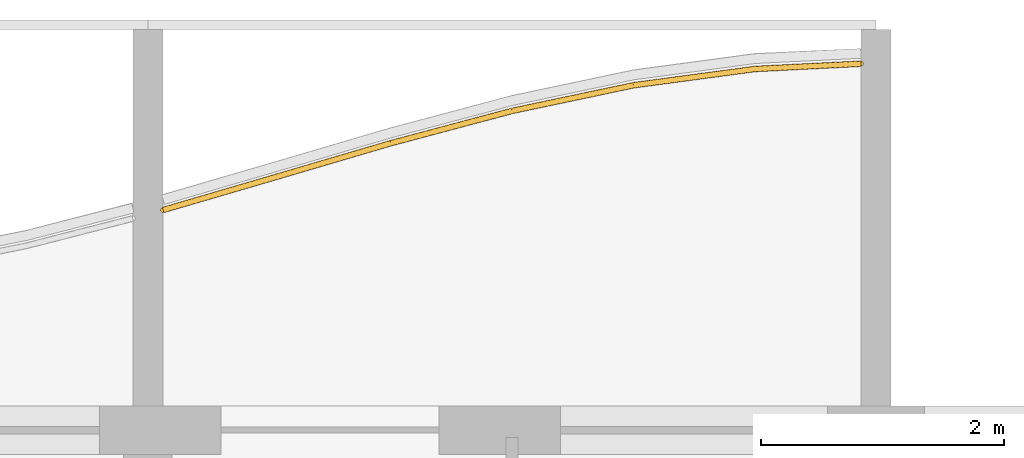
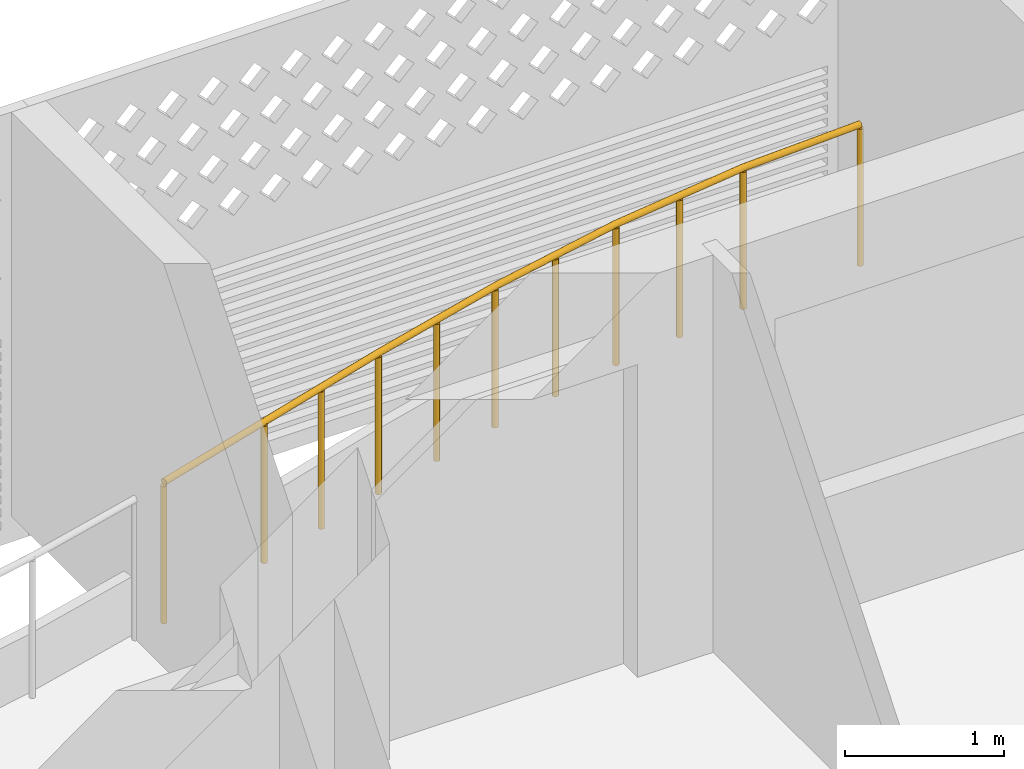
# One storey, part 38 of 39: 1 railing.
"""IFC4 building model written with IfcOpenShell, lengths in metres."""

from ifc_helpers import new_model, si_unit, direction, frame, origin, origin_2d, place, context, subcontext, project, spatial, circle, extrude, material, type_object, element, save


model = new_model("IFC4")

# Units and contexts
model_context = context("Model", 3, precision=1e-05, world=origin(), true_north=direction((0.0, 1.0)))
body_context = subcontext(model_context, "Body", "Model", "MODEL_VIEW")
ifc_project = project(units=[si_unit("LENGTHUNIT", "METRE"), si_unit("AREAUNIT", "SQUARE_METRE"), si_unit("VOLUMEUNIT", "CUBIC_METRE"), si_unit("PLANEANGLEUNIT", "RADIAN"), si_unit("MASSUNIT", "GRAM", prefix="KILO")], contexts=[model_context])

# Site, building, storey
site_placement = place(None, origin())
site = spatial("IfcSite", under=ifc_project, at=site_placement, CompositionType="ELEMENT")
building_placement = place(site_placement, origin())
building = spatial("IfcBuilding", under=site, at=building_placement, Name="Poui Terraces", CompositionType="ELEMENT")
storey_placement = place(building_placement, frame((0.0, 0.0, 56.39990234375)))
storey = spatial("IfcBuildingStorey", under=building, at=storey_placement, Name="L15", CompositionType="ELEMENT", Elevation=56.39990234375)

# Railing
ifc_material = material(Name="Painted steel fretwork", Category="steel")
railing_type = type_object("IfcRailingType", Name="BALCONY GUARD 1100", PredefinedType="GUARDRAIL", material=ifc_material)
railing_placement = place(storey_placement, frame((78.125, 46.614013671875, 0.0)))
element("IfcRailing", 1, at=railing_placement, inside=storey, type_object=railing_type, Name="BALCONY GUARD", PredefinedType="GUARDRAIL", context=body_context, shape_type="SweptSolid", body=[
    extrude(circle(Radius=0.02392578125, at=origin_2d()), frame((0.0, 0.0, 1.076171875), z_axis=(0.959735646222, 0.280904769221, 0.0), x_axis=(-0.280904769221, 0.959735646222, 0.0)), (0.0, 0.0, 1.0), 0.91162109375),
    extrude(circle(Radius=0.02392578125, at=origin_2d()), frame((0.875, 0.256103515625, 1.076171875), z_axis=(0.959346851742, 0.282229725671, 0.0), x_axis=(-0.282229725671, 0.959346851742, 0.0)), (0.0, 0.0, 1.0), 1.04248046875),
    extrude(circle(Radius=0.02392578125, at=origin_2d()), frame((1.875, 0.55029296875, 1.076171875), z_axis=(0.966309295868, 0.257383652781, 0.0), x_axis=(-0.257383652781, 0.966309295868, 0.0)), (0.0, 0.0, 1.0), 1.034912109375),
    extrude(circle(Radius=0.02392578125, at=origin_2d()), frame((2.875, 0.816650390625, 1.076171875), z_axis=(0.978420335295, 0.206624411629, 0.0), x_axis=(-0.206624411629, 0.978420335295, 0.0)), (0.0, 0.0, 1.0), 1.02197265625),
    extrude(circle(Radius=0.02392578125, at=origin_2d()), frame((3.875, 1.02783203125, 1.076171875), z_axis=(0.991104904979, 0.133082934018, 0.0), x_axis=(-0.133082934018, 0.991104904979, 0.0)), (0.0, 0.0, 1.0), 1.009033203125),
    extrude(circle(Radius=0.02392578125, at=origin_2d()), frame((4.875, 1.162109375, 1.076171875), z_axis=(0.998768961938, 0.049604038846, 0.0), x_axis=(-0.049604038846, 0.998768961938, 0.0)), (0.0, 0.0, 1.0), 0.8759765625),
    extrude(circle(Radius=0.02099609375, at=origin_2d()), origin(), (0.0, 0.0, 1.0), 1.052001953125),
    extrude(circle(Radius=0.02099609375, at=origin_2d()), frame((0.875, 0.256103515625, 0.0)), (0.0, 0.0, 1.0), 1.052001953125),
    extrude(circle(Radius=0.02099609375, at=origin_2d()), frame((1.375, 0.4033203125, 0.0)), (0.0, 0.0, 1.0), 1.052001953125),
    extrude(circle(Radius=0.02099609375, at=origin_2d()), frame((1.875, 0.55029296875, 0.0)), (0.0, 0.0, 1.0), 1.052001953125),
    extrude(circle(Radius=0.02099609375, at=origin_2d()), frame((2.375, 0.68359375, 0.0)), (0.0, 0.0, 1.0), 1.052001953125),
    extrude(circle(Radius=0.02099609375, at=origin_2d()), frame((2.875, 0.816650390625, 0.0)), (0.0, 0.0, 1.0), 1.052001953125),
    extrude(circle(Radius=0.02099609375, at=origin_2d()), frame((3.375, 0.92236328125, 0.0)), (0.0, 0.0, 1.0), 1.052001953125),
    extrude(circle(Radius=0.02099609375, at=origin_2d()), frame((3.875, 1.02783203125, 0.0)), (0.0, 0.0, 1.0), 1.052001953125),
    extrude(circle(Radius=0.02099609375, at=origin_2d()), frame((4.375, 1.094970703125, 0.0)), (0.0, 0.0, 1.0), 1.052001953125),
    extrude(circle(Radius=0.02099609375, at=origin_2d()), frame((4.875, 1.162109375, 0.0)), (0.0, 0.0, 1.0), 1.052001953125),
    extrude(circle(Radius=0.02099609375, at=origin_2d()), frame((5.75, 1.20556640625, 0.0)), (0.0, 0.0, 1.0), 1.052001953125),
])

save(model, "model.ifc")
